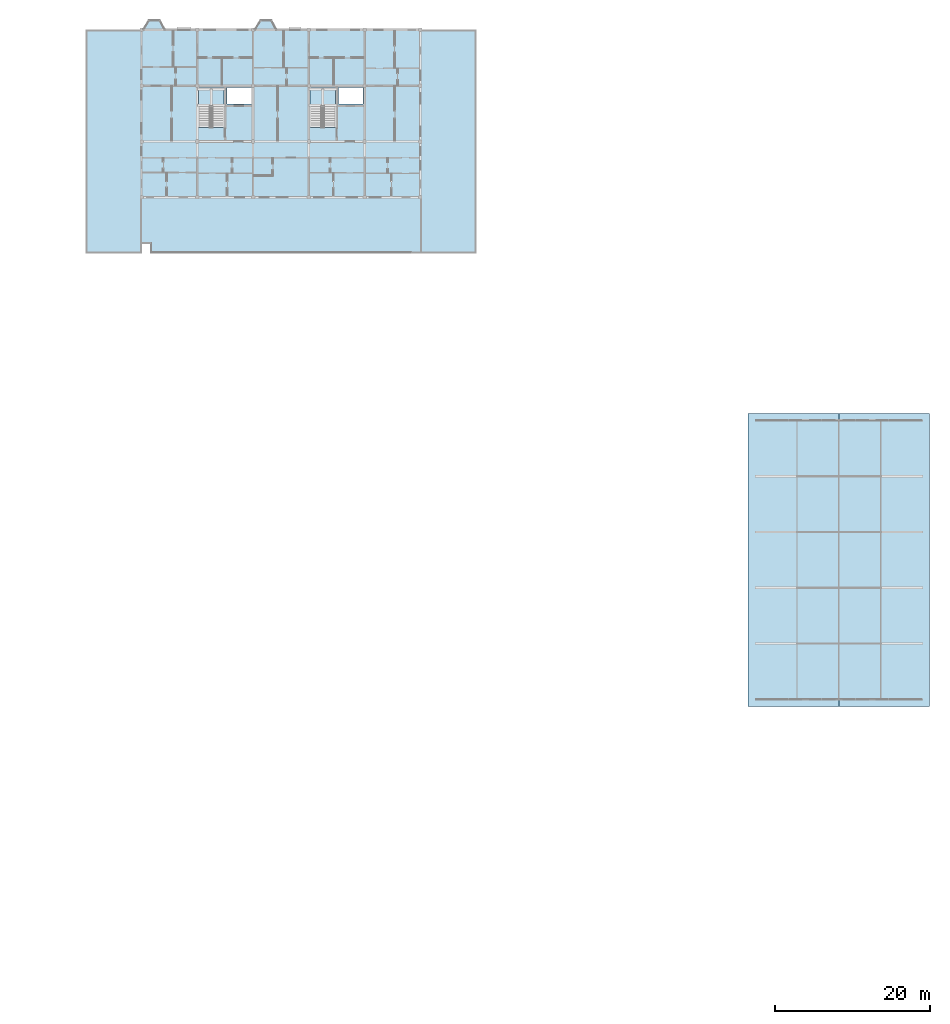
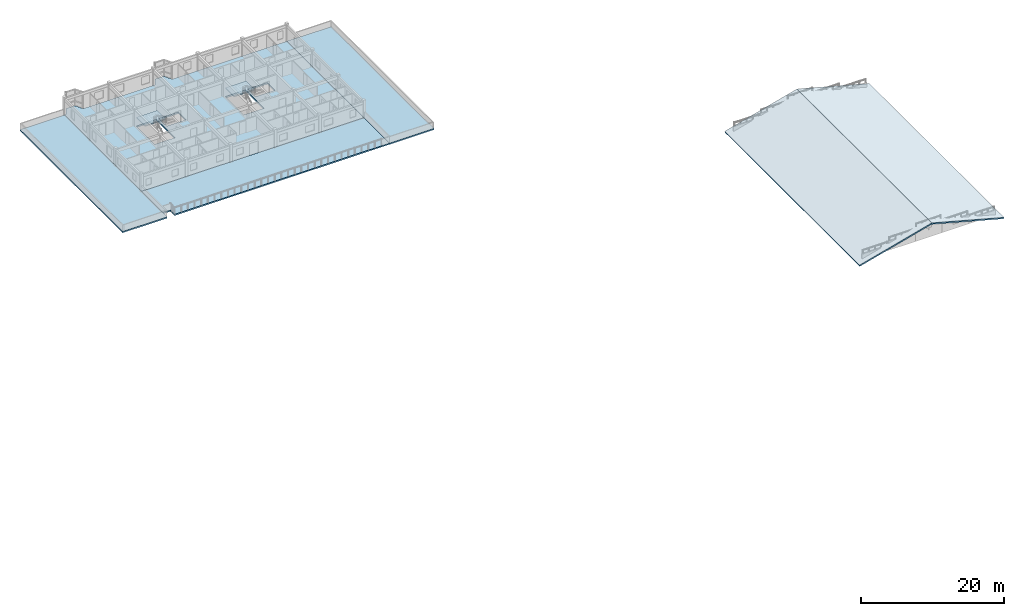
# One storey, part 23 of 40: 8 slabs, 2 elements without a shape of their own.
"""IFC4 building model written with IfcOpenShell, lengths in metres."""

from ifc_helpers import new_model, si_unit, direction, frame, origin, place, context, subcontext, project, spatial, polyline, outline, extrude, material, layer, layer_set, type_object, element, aggregate, save


model = new_model("IFC4")

# Units and contexts
model_context = context("Model", 3, precision=1e-05, world=origin(), true_north=direction((0.0, 1.0)))
body_context = subcontext(model_context, "Body", "Model", "MODEL_VIEW")
ifc_project = project(units=[si_unit("LENGTHUNIT", "METRE"), si_unit("AREAUNIT", "SQUARE_METRE"), si_unit("VOLUMEUNIT", "CUBIC_METRE"), si_unit("PLANEANGLEUNIT", "RADIAN"), si_unit("MASSUNIT", "GRAM", prefix="KILO"), si_unit("THERMODYNAMICTEMPERATUREUNIT", "KELVIN"), si_unit("POWERUNIT", "WATT")], contexts=[model_context])

# Site, building, storey
site_placement = place(None, origin())
site = spatial("IfcSite", under=ifc_project, at=site_placement, CompositionType="ELEMENT")
building_placement = place(site_placement, origin())
building = spatial("IfcBuilding", under=site, at=building_placement, Name="Tavuni Mirador Residences", CompositionType="ELEMENT")
storey_placement = place(building_placement, frame((0.0, 0.0, 36.0)))
storey = spatial("IfcBuildingStorey", under=building, at=storey_placement, Name="L11", CompositionType="ELEMENT", Elevation=36.0)

# Slab
ifc_material_1 = material(Name="Prestressed concrete C45/55", Category="concrete")
ifc_layer_1 = layer(ifc_material_1, 0.264892578125, Name="Prestressed concrete C45/55", Category="concrete")
ifc_layer_set_1 = layer_set([ifc_layer_1], Name="Prestressed concrete C45/55")
slab_type_1 = type_object("IfcSlabType", Name="SLT-FLR265", PredefinedType="FLOOR", material=ifc_layer_set_1)
slab_1_placement = place(storey_placement, frame((0.0, 0.0, -0.264892578125)))
element("IfcSlab", 1, at=slab_1_placement, inside=storey, type_object=slab_type_1, Name="SLB-BLK-C-L11", PredefinedType="FLOOR", context=body_context, shape_type="SweptSolid", body=[
    extrude(outline(polyline([(18.0, 151.199951171875), (54.0, 151.199951171875), (54.0, 172.800048828125), (35.419921875, 172.800048828125), (34.780029296875, 174.0), (33.360107421875, 174.0), (32.625, 172.800048828125), (21.02001953125, 172.800048828125), (20.3798828125, 174.0), (18.9599609375, 174.0), (18.22509765625, 172.800048828125), (18.0, 172.800048828125), (18.0, 151.199951171875)]), holes=[polyline([(25.360107421875, 160.2080078125), (28.639892578125, 160.2080078125), (28.639892578125, 165.360107421875), (25.360107421875, 165.360107421875), (25.360107421875, 160.2080078125)]), polyline([(29.02001953125, 163.219970703125), (32.179931640625, 163.219970703125), (32.179931640625, 165.3798828125), (29.02001953125, 165.3798828125), (29.02001953125, 163.219970703125)]), polyline([(39.760009765625, 160.2080078125), (43.0400390625, 160.2080078125), (43.0400390625, 165.360107421875), (39.760009765625, 165.360107421875), (39.760009765625, 160.2080078125)]), polyline([(43.419921875, 163.219970703125), (46.580078125, 163.219970703125), (46.580078125, 165.3798828125), (43.419921875, 165.3798828125), (43.419921875, 163.219970703125)])]), origin(), (0.0, 0.0, 1.0), 0.264892578125),
])

# Stair, slab
ifc_material_2 = material(Name="Precast concrete C40/50", Category="concrete")
stair_type = type_object("IfcStairType", Name="STT-TYP", PredefinedType="HALF_TURN_STAIR", material=ifc_material_2)
stair_1_placement = place(storey_placement, origin())
stair_1 = element("IfcStair", 2, at=stair_1_placement, inside=storey, type_object=stair_type, Name="Protected exit stair ST5 (L11)", PredefinedType="HALF_TURN_STAIR")
ifc_layer_2 = layer(ifc_material_2, 0.179931640625, Name="Precast concrete C40/50", Category="concrete")
ifc_layer_set_2 = layer_set([ifc_layer_2], Name="Precast concrete C40/50")
slab_type_2 = type_object("IfcSlabType", Name="SLT-LND180", PredefinedType="LANDING", material=ifc_layer_set_2)
slab_2_placement = place(storey_placement, frame((0.0, 0.0, 1.39501953125)))
slab_2 = element("IfcSlab", 3, at=slab_2_placement, type_object=slab_type_2, Name="ST5 landing 1", PredefinedType="LANDING", context=body_context, shape_type="SweptSolid", body=[
    extrude(outline(polyline([(25.340087890625, 162.89208984375), (28.659912109375, 162.89208984375), (28.659912109375, 165.300048828125), (25.340087890625, 165.300048828125), (25.340087890625, 162.89208984375)])), origin(), (0.0, 0.0, 1.0), 0.179931640625),
])
aggregate(stair_1, [slab_2])

stair_2_placement = place(storey_placement, origin())
stair_2 = element("IfcStair", 4, at=stair_2_placement, inside=storey, type_object=stair_type, Name="Protected exit stair ST6 (L11)", PredefinedType="HALF_TURN_STAIR")
slab_3_placement = place(storey_placement, frame((0.0, 0.0, 1.39501953125)))
slab_3 = element("IfcSlab", 5, at=slab_3_placement, type_object=slab_type_2, Name="ST6 landing 1", PredefinedType="LANDING", context=body_context, shape_type="SweptSolid", body=[
    extrude(outline(polyline([(39.739990234375, 162.89208984375), (43.06005859375, 162.89208984375), (43.06005859375, 165.300048828125), (39.739990234375, 165.300048828125), (39.739990234375, 162.89208984375)])), origin(), (0.0, 0.0, 1.0), 0.179931640625),
])
aggregate(stair_2, [slab_3])

# Slabs
ifc_layer_3 = layer(ifc_material_2, 0.215087890625, Name="Precast concrete C40/50", Category="concrete")
ifc_layer_set_3 = layer_set([ifc_layer_3], Name="Precast concrete C40/50")
slab_type_3 = type_object("IfcSlabType", Name="SLT-RF215", PredefinedType="ROOF", material=ifc_layer_set_3)
for number, where, z_axis, x_axis, name in (
    (6, (96.300048828125, 85.5, -0.24169921875), (-0.259575572579, 0.0, 0.965722797764), (0.965722797764, 0.0, 0.259575572579), "RF-BLK-D-W"),
    (7, (108.011962890625, 85.5, 2.89990234375), (0.259575572579, 0.0, 0.965722797764), (0.965722797764, 0.0, -0.259575572579), "RF-BLK-D-E"),
):
    element("IfcSlab", number, at=place(storey_placement, frame(where, z_axis=z_axis, x_axis=x_axis)), inside=storey, type_object=slab_type_3, Name=name, PredefinedType="ROOF", context=body_context, shape_type="SweptSolid", body=[
        extrude(outline(polyline([(0.0, 0.0), (12.10283976759751, 0.0), (12.10283976759751, 37.80004882812499), (0.0, 37.80004882812499), (0.0, 0.0)])), origin(), (0.0, 0.0, -1.0), 0.215087890625),
    ])
ifc_layer_4 = layer(ifc_material_2, 0.22998046875, Name="Precast concrete C40/50", Category="concrete")
ifc_layer_set_4 = layer_set([ifc_layer_4], Name="Precast concrete C40/50")
slab_type_4 = type_object("IfcSlabType", Name="SLT-RF230", PredefinedType="ROOF", material=ifc_layer_set_4)
slab_4_placement = place(storey_placement, frame((0.0, 0.0, -0.22998046875)))
element("IfcSlab", 8, at=slab_4_placement, inside=storey, type_object=slab_type_4, Name="Setback roof ROOF-C-L11-W", PredefinedType="ROOF", context=body_context, shape_type="SweptSolid", body=[
    extrude(outline(polyline([(10.800048828125, 144.0), (18.0, 144.0), (18.0, 172.800048828125), (10.800048828125, 172.800048828125), (10.800048828125, 144.0)])), origin(), (0.0, 0.0, 1.0), 0.22998046875),
])
slab_5_placement = place(storey_placement, frame((0.0, 0.0, -0.22998046875)))
element("IfcSlab", 9, at=slab_5_placement, inside=storey, type_object=slab_type_4, Name="Setback roof ROOF-C-L11-E", PredefinedType="ROOF", context=body_context, shape_type="SweptSolid", body=[
    extrude(outline(polyline([(54.0, 144.0), (61.199951171875, 144.0), (61.199951171875, 172.800048828125), (54.0, 172.800048828125), (54.0, 144.0)])), origin(), (0.0, 0.0, 1.0), 0.22998046875),
])
ifc_layer_5 = layer(ifc_material_1, 0.219970703125, Name="Prestressed concrete C45/55", Category="concrete")
ifc_layer_set_5 = layer_set([ifc_layer_5], Name="Prestressed concrete C45/55")
slab_type_5 = type_object("IfcSlabType", Name="SLT-TER220", PredefinedType="FLOOR", material=ifc_layer_set_5)
slab_6_placement = place(storey_placement, frame((0.0, 0.0, -0.219970703125)))
element("IfcSlab", 10, at=slab_6_placement, inside=storey, type_object=slab_type_5, Name="Roof terrace TER-C-L11", PredefinedType="FLOOR", context=body_context, shape_type="SweptSolid", body=[
    extrude(outline(polyline([(19.199951171875, 144.0), (54.0, 144.0), (54.0, 151.199951171875), (18.0, 151.199951171875), (18.0, 145.199951171875), (19.199951171875, 145.199951171875), (19.199951171875, 144.0)])), origin(), (0.0, 0.0, 1.0), 0.219970703125),
])

save(model, "model.ifc")
